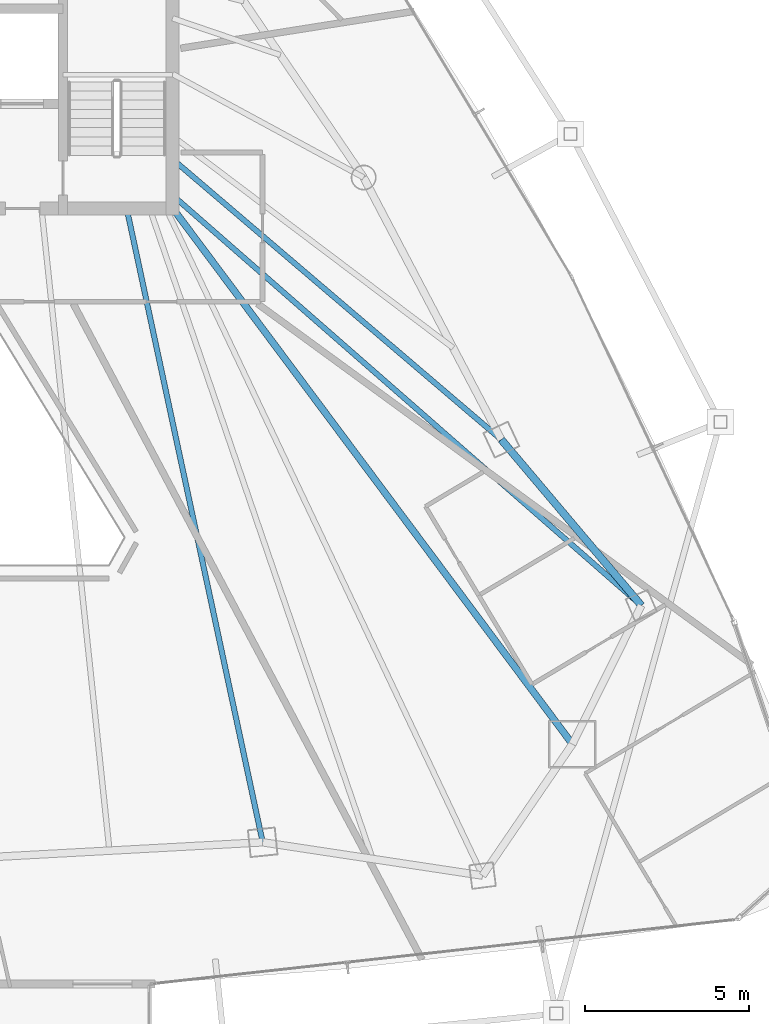
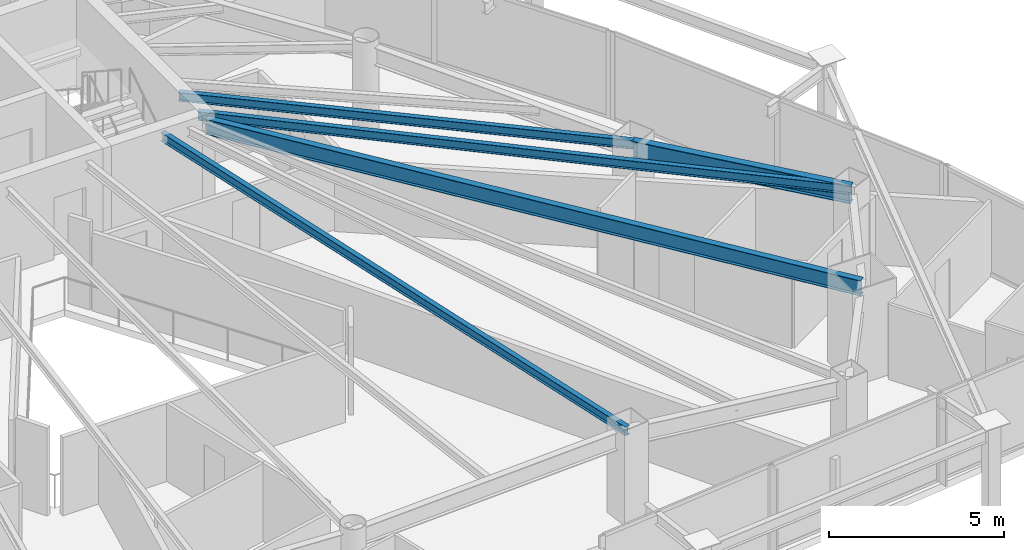
# One storey, part 15 of 33: 5 beams.
"""IFC4 building model written with IfcOpenShell, lengths in metres."""

import ifcopenshell
import ifcopenshell.guid

model = None  # the IFC model being written
_history = None  # IfcOwnerHistory: only IFC2X3 demands one
_inside = {}  # id of a spatial element -> (the spatial element, [elements in it])
_under = {}  # id of a project, library or spatial element -> (it, [spatial elements below it])
_declared = {}  # id of a project -> (the project, [libraries it declares])
_typed = {}  # id of a type object -> (the type object, [elements of that type])
_made_of = {}  # id of a material, layer set ... -> (it, [elements and type objects made of it])


def new_model(schema):
    """Start an empty IFC model of exactly this schema.

    Asked for "IFC4X3", IfcOpenShell would pick the latest addendum, in which some entities
    have other attributes; the version numbers below select the first issue.
    IFC2X3 requires an IfcOwnerHistory on every rooted entity: one is made here for all.
    """
    global model, _history
    if schema == "IFC4X3":
        model = ifcopenshell.file(schema_version=(4, 3, 0, 0))
    else:
        model = ifcopenshell.file(schema=schema)
    _inside.clear()
    _under.clear()
    _declared.clear()
    _typed.clear()
    _made_of.clear()
    _history = None
    if model.schema == "IFC2X3":
        org = make("IfcOrganization", Name="unknown")
        user = make(
            "IfcPersonAndOrganization",
            ThePerson=make("IfcPerson", FamilyName="unknown"),
            TheOrganization=org,
        )
        app = make(
            "IfcApplication",
            ApplicationDeveloper=org,
            Version="unknown",
            ApplicationFullName="unknown",
            ApplicationIdentifier="unknown",
        )
        _history = make(
            "IfcOwnerHistory",
            OwningUser=user,
            OwningApplication=app,
            ChangeAction="ADDED",
            CreationDate=0,
        )
    return model


def make(cls, **values):
    """One entity of the class cls with the attributes given. An attribute that is None is left unset."""
    return model.create_entity(
        cls, **{name: value for name, value in values.items() if value is not None}
    )


def rooted(cls, **values):
    """An entity with a GlobalId (a new one), such as an element, a storey or a relation."""
    return make(cls, GlobalId=ifcopenshell.guid.new(), OwnerHistory=_history, **values)


def si_unit(unit_type, name, prefix=None):
    """IfcSIUnit, for example si_unit("LENGTHUNIT", "METRE", prefix="MILLI")."""
    return make("IfcSIUnit", UnitType=unit_type, Prefix=prefix, Name=name)


def assignment(units):
    """IfcUnitAssignment: the units of a project."""
    return None if units is None else make("IfcUnitAssignment", Units=units)


def point(xyz):
    """IfcCartesianPoint."""
    return None if xyz is None else make("IfcCartesianPoint", Coordinates=xyz)


def direction(xyz):
    """IfcDirection."""
    return None if xyz is None else make("IfcDirection", DirectionRatios=xyz)


def frame(location, z_axis=None, x_axis=None):
    """IfcAxis2Placement3D, a coordinate frame: its origin and axes. An axis left out is left unset."""
    return make(
        "IfcAxis2Placement3D",
        Location=point(location),
        Axis=direction(z_axis),
        RefDirection=direction(x_axis),
    )


def frame_2d(location, x_axis=None):
    """IfcAxis2Placement2D, a coordinate frame in the plane: its origin and x axis."""
    return make(
        "IfcAxis2Placement2D", Location=point(location), RefDirection=direction(x_axis)
    )


def origin():
    """The frame at (0, 0, 0) with its axes left unset."""
    return frame((0.0, 0.0, 0.0))


def origin_2d():
    """The frame at (0, 0) in the plane with its x axis left unset."""
    return frame_2d((0.0, 0.0))


def place(relative_to, where):
    """IfcLocalPlacement: puts the frame where relative to a parent placement (None: the world)."""
    return make(
        "IfcLocalPlacement", PlacementRelTo=relative_to, RelativePlacement=where
    )


def context(
    kind, dimensions, precision=None, world=None, true_north=None, identifier=None
):
    """IfcGeometricRepresentationContext, for example the 3D "Model" context."""
    return make(
        "IfcGeometricRepresentationContext",
        ContextIdentifier=identifier,
        ContextType=kind,
        CoordinateSpaceDimension=dimensions,
        Precision=precision,
        WorldCoordinateSystem=world,
        TrueNorth=true_north,
    )


def subcontext(parent, identifier, kind, view, scale=None):
    """IfcGeometricRepresentationSubContext, for example "Body" below "Model"."""
    return make(
        "IfcGeometricRepresentationSubContext",
        ContextIdentifier=identifier,
        ContextType=kind,
        ParentContext=parent,
        TargetScale=scale,
        TargetView=view,
    )


def project(units=None, contexts=None):
    """IfcProject with its units and contexts."""
    return rooted(
        "IfcProject",
        Name="project",
        RepresentationContexts=contexts,
        UnitsInContext=assignment(units),
    )


def spatial(cls, under=None, at=None, **own):
    """A site, building, storey or space (cls), placed at a placement, below another one or the project."""
    s = rooted(cls, ObjectPlacement=at, **own)
    if under is not None:
        _under.setdefault(under.id(), (under, []))[1].append(s)
    return s


def profile(cls, at=None, kind="AREA", **sizes):
    """A parametric profile (cls). Its sizes go by their IFC names, for example OverallWidth=200.0."""
    return make(cls, ProfileType=kind, Position=at, **sizes)


def i_section(**sizes):
    """IfcIShapeProfileDef."""
    return profile("IfcIShapeProfileDef", **sizes)


def extrude(swept, where, along, depth):
    """IfcExtrudedAreaSolid: the profile swept, set in the frame where, extruded along a direction by depth."""
    return make(
        "IfcExtrudedAreaSolid",
        SweptArea=swept,
        Position=where,
        ExtrudedDirection=direction(along),
        Depth=depth,
    )


def shape(context_of_items, identifier, shape_type, items):
    """IfcShapeRepresentation: the items that make up one representation, for example the "Body"."""
    return make(
        "IfcShapeRepresentation",
        ContextOfItems=context_of_items,
        RepresentationIdentifier=identifier,
        RepresentationType=shape_type,
        Items=items,
    )


def material(Name=None, Category=None):
    """IfcMaterial."""
    return make("IfcMaterial", Name=Name, Category=Category)


def material_profile(
    of_material, cross_section, Name=None, Category=None, Priority=None
):
    """IfcMaterialProfile: a cross section and its material."""
    return make(
        "IfcMaterialProfile",
        Name=Name,
        Material=of_material,
        Profile=cross_section,
        Priority=Priority,
        Category=Category,
    )


def profile_set(profiles, Name=None, composite=None):
    """IfcMaterialProfileSet."""
    return make(
        "IfcMaterialProfileSet",
        Name=Name,
        MaterialProfiles=profiles,
        CompositeProfile=composite,
    )


def made_of(thing, what):
    """Note that an element or type object is made of a material, layer set ...; save() writes the relation."""
    if what is not None:
        _made_of.setdefault(what.id(), (what, []))[1].append(thing)
    return thing


def type_object(cls, material=None, **own):
    """A type object (cls), such as IfcWallType, which elements share."""
    return made_of(rooted(cls, **own), material)


def element(
    cls,
    number,
    at=None,
    inside=None,
    cuts=None,
    type_object=None,
    material=None,
    context=None,
    identifier="Body",
    shape_type=None,
    held_by="IfcProductDefinitionShape",
    body=None,
    shapes=None,
    **own,
):
    """One element of the class cls, such as IfcWall. Its Tag is "e" and its number.

    at: its placement. inside: the storey or other place that contains it. cuts: it is an
    opening in that element (IfcRelVoidsElement). A single representation is given by context,
    identifier, shape_type and body (its items); several are given by shapes. held_by: the class
    of the entity that holds the representations. save() writes the other relations.
    """
    e = rooted(cls, Tag="e%d" % number, ObjectPlacement=at, **own)
    if body is not None:
        shapes = [shape(context, identifier, shape_type, body)]
    if shapes is not None:
        e.Representation = make(held_by, Representations=shapes)
    if inside is not None:
        _inside.setdefault(inside.id(), (inside, []))[1].append(e)
    if cuts is not None:
        rooted(
            "IfcRelVoidsElement", RelatingBuildingElement=cuts, RelatedOpeningElement=e
        )
    if type_object is not None:
        _typed.setdefault(type_object.id(), (type_object, []))[1].append(e)
    return made_of(e, material)


def aggregate(whole, parts):
    """IfcRelAggregates: a whole, such as a stair, and the parts it consists of."""
    return rooted("IfcRelAggregates", RelatingObject=whole, RelatedObjects=parts)


def save(model, path):
    """Write the relations noted so far, then the file.

    IfcRelAggregates (storeys below a building ...), IfcRelContainedInSpatialStructure (elements
    in a storey), IfcRelDefinesByType, IfcRelAssociatesMaterial and IfcRelDeclares: one each for
    every whole, place, type object, material and project.
    """
    for whole, parts in _under.values():
        aggregate(whole, parts)
    for where, things in _inside.values():
        rooted(
            "IfcRelContainedInSpatialStructure",
            RelatedElements=things,
            RelatingStructure=where,
        )
    for kind, things in _typed.values():
        rooted("IfcRelDefinesByType", RelatedObjects=things, RelatingType=kind)
    for what, things in _made_of.values():
        rooted("IfcRelAssociatesMaterial", RelatedObjects=things, RelatingMaterial=what)
    for by, libraries in _declared.values():
        rooted("IfcRelDeclares", RelatingContext=by, RelatedDefinitions=libraries)
    model.write(path)


model = new_model("IFC4")

# Units and contexts
model_context = context("Model", 3, precision=1e-05, world=origin(), true_north=direction((0.0, 1.0)))
body_context = subcontext(model_context, "Body", "Model", "MODEL_VIEW")
ifc_project = project(units=[si_unit("LENGTHUNIT", "METRE"), si_unit("AREAUNIT", "SQUARE_METRE"), si_unit("VOLUMEUNIT", "CUBIC_METRE"), si_unit("PLANEANGLEUNIT", "RADIAN"), si_unit("MASSUNIT", "GRAM", prefix="KILO")], contexts=[model_context])

# Site, building, storey
site_placement = place(None, origin())
site = spatial("IfcSite", under=ifc_project, at=site_placement, CompositionType="ELEMENT")
building_placement = place(site_placement, origin())
building = spatial("IfcBuilding", under=site, at=building_placement, Name="Orvanel Arch Residences", CompositionType="ELEMENT")
storey_placement = place(building_placement, frame((0.0, 0.0, 123.199951171875)))
storey = spatial("IfcBuildingStorey", under=building, at=storey_placement, Name="L34", CompositionType="ELEMENT", Elevation=123.199951171875)

# Beams
ifc_material = material(Name="Structural steel AS/NZS 3679.1 Grade 300 (300 MPa)", Category="steel")
ifc_material_profile_1 = material_profile(ifc_material, i_section(OverallWidth=0.208984375, OverallDepth=0.532958984375, WebThickness=0.01025390625, FlangeThickness=0.015625, at=origin_2d()), Name="530UB92.4")
ifc_profile_set_1 = profile_set([ifc_material_profile_1], Name="Structural steel AS/NZS 3679.1 Grade 300 (300 MPa)")
beam_type_1 = type_object("IfcBeamType", Name="BG-530UB", PredefinedType="BEAM", material=ifc_profile_set_1)
beam_1_placement = place(storey_placement, frame((39.625, 26.675048828125, 2.7939453125), z_axis=(0.597893733742, -0.801575375839, 0.0), x_axis=(0.801575375839, 0.597893733742, 0.0)))
element("IfcBeam", 1, at=beam_1_placement, inside=storey, type_object=beam_type_1, Name="L34 South-East Radial Girder", PredefinedType="BEAM", context=body_context, shape_type="SweptSolid", body=[
    extrude(i_section(OverallWidth=0.208984375, OverallDepth=0.532958984375, WebThickness=0.01025390625, FlangeThickness=0.015625, at=origin_2d()), origin(), (0.0, 0.0, 1.0), 20.36474609375),
])
ifc_material_profile_2 = material_profile(ifc_material, i_section(OverallWidth=0.1650390625, OverallDepth=0.303955078125, WebThickness=0.006103515625, FlangeThickness=0.01025390625, at=origin_2d()), Name="310UB40.4")
ifc_profile_set_2 = profile_set([ifc_material_profile_2], Name="Structural steel AS/NZS 3679.1 Grade 300 (300 MPa)")
beam_type_2 = type_object("IfcBeamType", Name="BJ-310UB", PredefinedType="JOIST", material=ifc_profile_set_2)
beam_2_placement = place(storey_placement, frame((39.60009765625, 28.199951171875, 2.907958984375), z_axis=(0.760821315761, -0.648961420644, 0.0), x_axis=(0.648961420644, 0.760821315761, 0.0)))
element("IfcBeam", 2, at=beam_2_placement, inside=storey, type_object=beam_type_2, Name="L34 E Wing Floor Joist", PredefinedType="JOIST", context=body_context, shape_type="SweptSolid", body=[
    extrude(i_section(OverallWidth=0.1650390625, OverallDepth=0.303955078125, WebThickness=0.006103515625, FlangeThickness=0.01025390625, at=origin_2d()), origin(), (0.0, 0.0, 1.0), 13.18701171875),
])
beam_3_placement = place(storey_placement, frame((38.199951171875, 26.699951171875, 2.907958984375), z_axis=(0.209808012425, -0.977742603103, 0.0), x_axis=(0.977742603103, 0.209808012425, 0.0)))
element("IfcBeam", 3, at=beam_3_placement, inside=storey, type_object=beam_type_2, Name="L34 SE Wing Floor Joist", PredefinedType="JOIST", context=body_context, shape_type="SweptSolid", body=[
    extrude(i_section(OverallWidth=0.1650390625, OverallDepth=0.303955078125, WebThickness=0.006103515625, FlangeThickness=0.01025390625, at=origin_2d()), origin(), (0.0, 0.0, 1.0), 19.785400390625),
])
beam_4_placement = place(storey_placement, frame((39.60009765625, 27.10009765625, 2.907958984375), z_axis=(0.752493154183, -0.658600070534, 0.0), x_axis=(0.658600070534, 0.752493154183, 0.0)))
element("IfcBeam", 4, at=beam_4_placement, inside=storey, type_object=beam_type_2, Name="L34 ME Wing Floor Joist", PredefinedType="JOIST", context=body_context, shape_type="SweptSolid", body=[
    extrude(i_section(OverallWidth=0.1650390625, OverallDepth=0.303955078125, WebThickness=0.006103515625, FlangeThickness=0.01025390625, at=origin_2d()), origin(), (0.0, 0.0, 1.0), 19.010009765625),
])
ifc_material_profile_3 = material_profile(ifc_material, i_section(OverallWidth=0.22900390625, OverallDepth=0.612060546875, WebThickness=0.011962890625, FlangeThickness=0.01953125, at=origin_2d()), Name="610UB125")
ifc_profile_set_3 = profile_set([ifc_material_profile_3], Name="Structural steel AS/NZS 3679.1 Grade 300 (300 MPa)")
beam_type_3 = type_object("IfcBeamType", Name="SP-610UB", PredefinedType="SPANDREL", material=ifc_profile_set_3)
beam_5_placement = place(storey_placement, frame((53.905029296875, 14.580078125, 2.754150390625), z_axis=(-0.644950329775, 0.764224490659, 0.0), x_axis=(-0.764224490659, -0.644950329775, 0.0)))
element("IfcBeam", 5, at=beam_5_placement, inside=storey, type_object=beam_type_3, Name="L34 Perimeter Spandrel Beam 10", PredefinedType="SPANDREL", context=body_context, shape_type="SweptSolid", body=[
    extrude(i_section(OverallWidth=0.22900390625, OverallDepth=0.612060546875, WebThickness=0.011962890625, FlangeThickness=0.01953125, at=origin_2d()), origin(), (0.0, 0.0, 1.0), 6.623779296875),
])

save(model, "model.ifc")
